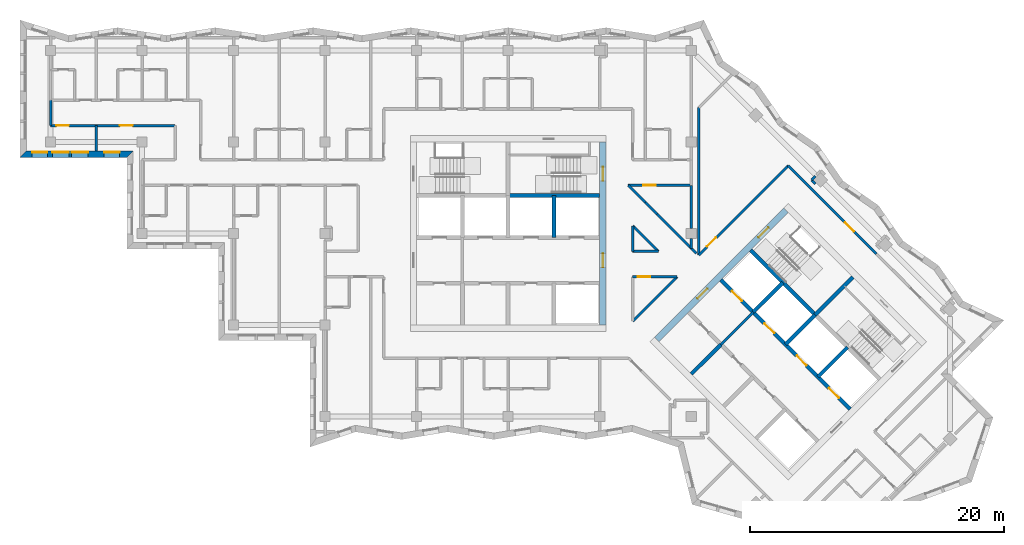
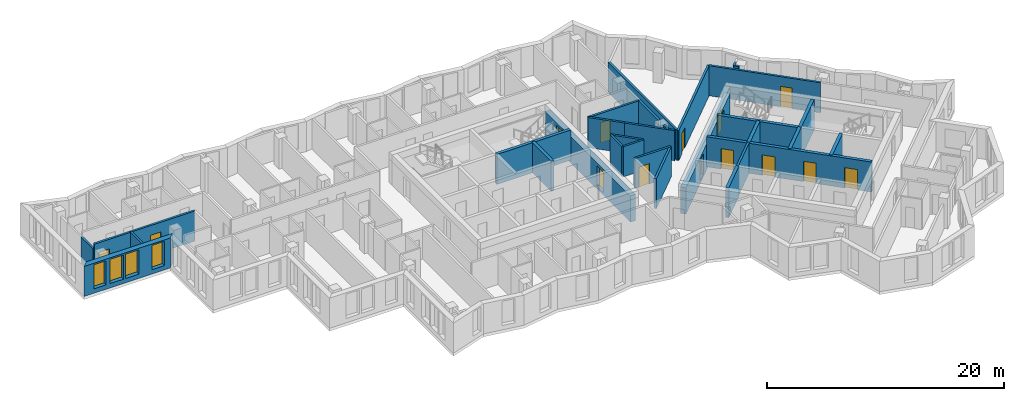
# One storey, part 5 of 13: 32 walls, 14 doors, 4 windows, 18 openings.
"""IFC4 building model written with IfcOpenShell, lengths in metres."""

from ifc_helpers import new_model, si_unit, direction, frame, frame_2d, origin, place, context, subcontext, project, spatial, polyline, rectangle, outline, extrude, material, layer, layer_set, type_object, element, fill, save


model = new_model("IFC4")

# Units and contexts
model_context = context("Model", 3, precision=1e-05, world=origin(), true_north=direction((0.0, 1.0)))
body_context = subcontext(model_context, "Body", "Model", "MODEL_VIEW")
ifc_project = project(units=[si_unit("LENGTHUNIT", "METRE"), si_unit("AREAUNIT", "SQUARE_METRE"), si_unit("VOLUMEUNIT", "CUBIC_METRE"), si_unit("PLANEANGLEUNIT", "RADIAN"), si_unit("MASSUNIT", "GRAM", prefix="KILO")], contexts=[model_context])

# Site, building, storey
site_placement = place(None, origin())
site = spatial("IfcSite", under=ifc_project, at=site_placement, CompositionType="ELEMENT")
building_placement = place(site_placement, origin())
building = spatial("IfcBuilding", under=site, at=building_placement, Name="Windrow Commons", CompositionType="ELEMENT")
storey_placement = place(building_placement, frame((0.0, 0.0, 223.6)))
storey = spatial("IfcBuildingStorey", under=building, at=storey_placement, Name="L61", CompositionType="ELEMENT", Elevation=223.6)

# Wall, openings, windows
ifc_material_1 = material(Name="Brick masonry, red clay brick", Category="masonry")
ifc_layer_1 = layer(ifc_material_1, 0.5)
ifc_layer_set_1 = layer_set([ifc_layer_1], Name="Brick facade wall 500")
wall_type_1 = type_object("IfcWallType", Name="Brick facade wall 500", PredefinedType="SOLIDWALL", material=ifc_layer_set_1)
wall_1_placement = place(storey_placement, frame((26.647, 63.85, 0.0), z_axis=(0.0, 0.0, 1.0), x_axis=(1.0, 0.0, 0.0)))
wall_1 = element("IfcWall", 1, at=wall_1_placement, inside=storey, type_object=wall_type_1, Name="Brick facade wall L61 32", PredefinedType="SOLIDWALL", context=body_context, shape_type="SweptSolid", body=[
    extrude(outline(polyline([(-0.25, -0.25), (8.153, -0.25), (8.653, 0.25), (0.25, 0.25), (-0.25, -0.25)])), origin(), (0.0, 0.0, 1.0), 3.1),
])
opening_1_placement = place(wall_1_placement, frame((2.303, 0.0, 0.45)))
opening_1 = element("IfcOpeningElement", 2, at=opening_1_placement, cuts=wall_1, Name="Opening W1Q", PredefinedType="OPENING", context=body_context, shape_type="SweptSolid", body=[
    extrude(rectangle(XDim=1.3, YDim=2.5, at=frame_2d((0.65, 1.25))), frame((0.0, 0.26, 0.0), z_axis=(0.0, -1.0, 0.0), x_axis=(1.0, 0.0, 0.0)), (0.0, 0.0, 1.0), 0.52),
])
opening_2_placement = place(wall_1_placement, frame((3.803, 0.0, 0.45)))
opening_2 = element("IfcOpeningElement", 3, at=opening_2_placement, cuts=wall_1, Name="Opening W1Q", PredefinedType="OPENING", context=body_context, shape_type="SweptSolid", body=[
    extrude(rectangle(XDim=1.3, YDim=2.5, at=frame_2d((0.65, 1.25))), frame((0.0, 0.26, 0.0), z_axis=(0.0, -1.0, 0.0), x_axis=(1.0, 0.0, 0.0)), (0.0, 0.0, 1.0), 0.52),
])
opening_3_placement = place(wall_1_placement, frame((0.7015, 0.0, 0.45)))
opening_3 = element("IfcOpeningElement", 4, at=opening_3_placement, cuts=wall_1, Name="Opening W7E", PredefinedType="OPENING", context=body_context, shape_type="SweptSolid", body=[
    extrude(rectangle(XDim=1.2, YDim=2.5, at=frame_2d((0.6, 1.25))), frame((0.0, 0.26, 0.0), z_axis=(0.0, -1.0, 0.0), x_axis=(1.0, 0.0, 0.0)), (0.0, 0.0, 1.0), 0.52),
])
opening_4_placement = place(wall_1_placement, frame((6.378, 0.0, 0.45)))
opening_4 = element("IfcOpeningElement", 5, at=opening_4_placement, cuts=wall_1, Name="Opening W7E", PredefinedType="OPENING", context=body_context, shape_type="SweptSolid", body=[
    extrude(rectangle(XDim=1.2, YDim=2.5, at=frame_2d((0.6, 1.25))), frame((0.0, 0.26, 0.0), z_axis=(0.0, -1.0, 0.0), x_axis=(1.0, 0.0, 0.0)), (0.0, 0.0, 1.0), 0.52),
])
ifc_material_2 = material(Name="Clear float glass in anodised aluminium frame", Category="aluminium")
window_type_1 = type_object("IfcWindowType", Name="Window W1Q pair 1300x2500", PartitioningType="SINGLE_PANEL", PredefinedType="WINDOW", material=ifc_material_2)
window_1_placement = place(opening_1_placement, origin())
window_1 = element("IfcWindow", 6, at=window_1_placement, inside=storey, type_object=window_type_1, Name="Window L61 32.1A", OverallHeight=2.5, OverallWidth=1.3, PartitioningType="SINGLE_PANEL", PredefinedType="WINDOW", context=body_context, shape_type="SweptSolid", body=[
    extrude(rectangle(XDim=1.3, YDim=2.5, at=frame_2d((0.65, 1.25))), frame((0.0, 0.18, 0.0), z_axis=(0.0, -1.0, 0.0), x_axis=(1.0, 0.0, 0.0)), (0.0, 0.0, 1.0), 0.06),
])
fill(opening_1, window_1)
window_2_placement = place(opening_2_placement, origin())
window_2 = element("IfcWindow", 7, at=window_2_placement, inside=storey, type_object=window_type_1, Name="Window L61 32.1B", OverallHeight=2.5, OverallWidth=1.3, PartitioningType="SINGLE_PANEL", PredefinedType="WINDOW", context=body_context, shape_type="SweptSolid", body=[
    extrude(rectangle(XDim=1.3, YDim=2.5, at=frame_2d((0.65, 1.25))), frame((0.0, 0.18, 0.0), z_axis=(0.0, -1.0, 0.0), x_axis=(1.0, 0.0, 0.0)), (0.0, 0.0, 1.0), 0.06),
])
fill(opening_2, window_2)
ifc_material_3 = material(Name="Clear float glass in anodised aluminium frame", Category="aluminium")
window_type_2 = type_object("IfcWindowType", Name="Window W7 notch 1200x2500", PartitioningType="SINGLE_PANEL", PredefinedType="WINDOW", material=ifc_material_3)
window_3_placement = place(opening_3_placement, origin())
window_3 = element("IfcWindow", 8, at=window_3_placement, inside=storey, type_object=window_type_2, Name="Window L61 32.2", OverallHeight=2.5, OverallWidth=1.2, PartitioningType="SINGLE_PANEL", PredefinedType="WINDOW", context=body_context, shape_type="SweptSolid", body=[
    extrude(rectangle(XDim=1.2, YDim=2.5, at=frame_2d((0.6, 1.25))), frame((0.0, 0.18, 0.0), z_axis=(0.0, -1.0, 0.0), x_axis=(1.0, 0.0, 0.0)), (0.0, 0.0, 1.0), 0.06),
])
fill(opening_3, window_3)
window_4_placement = place(opening_4_placement, origin())
window_4 = element("IfcWindow", 9, at=window_4_placement, inside=storey, type_object=window_type_2, Name="Window L61 32.3", OverallHeight=2.5, OverallWidth=1.2, PartitioningType="SINGLE_PANEL", PredefinedType="WINDOW", context=body_context, shape_type="SweptSolid", body=[
    extrude(rectangle(XDim=1.2, YDim=2.5, at=frame_2d((0.6, 1.25))), frame((0.0, 0.18, 0.0), z_axis=(0.0, -1.0, 0.0), x_axis=(1.0, 0.0, 0.0)), (0.0, 0.0, 1.0), 0.06),
])
fill(opening_4, window_4)

# Wall
ifc_material_4 = material(Name="Blockwork partition", Category="masonry")
ifc_layer_2 = layer(ifc_material_4, 0.2)
ifc_layer_set_2 = layer_set([ifc_layer_2], Name="Fire lobby partition 200")
wall_type_2 = type_object("IfcWallType", Name="Fire lobby partition 200", PredefinedType="PARTITIONING", material=ifc_layer_set_2)
wall_2_placement = place(storey_placement, frame((81.5335, 48.8776, 0.0), z_axis=(0.0, 0.0, 1.0), x_axis=(0.707092892, 0.7071206701, 0.0)))
element("IfcWall", 10, at=wall_2_placement, inside=storey, type_object=wall_type_2, Name="W-core-lobby-B-L61", PredefinedType="PARTITIONING", context=body_context, shape_type="SweptSolid", body=[
    extrude(rectangle(XDim=3.6, YDim=0.2, at=frame_2d((1.8, 0.0))), origin(), (0.0, 0.0, 1.0), 3.1),
])

# Wall, opening, door
ifc_material_5 = material(Name="Blockwork partition", Category="masonry")
ifc_layer_3 = layer(ifc_material_5, 0.2)
ifc_layer_set_3 = layer_set([ifc_layer_3], Name="IW-CORRIDOR-200")
wall_type_3 = type_object("IfcWallType", Name="IW-CORRIDOR-200", PredefinedType="PARTITIONING", material=ifc_layer_set_3)
wall_3_placement = place(storey_placement, frame((79.799, 55.913, 0.0), z_axis=(0.0, 0.0, 1.0), x_axis=(0.7071067812, 0.7071067812, 0.0)))
wall_3 = element("IfcWall", 11, at=wall_3_placement, inside=storey, type_object=wall_type_3, Name="W-L61-W009", PredefinedType="PARTITIONING", context=body_context, shape_type="SweptSolid", body=[
    extrude(rectangle(XDim=9.9504, YDim=0.2, at=frame_2d((4.9752, 0.0))), origin(), (0.0, 0.0, 1.0), 3.1),
])
opening_5_placement = place(wall_3_placement, frame((0.9268, 0.0, 0.0)))
opening_5 = element("IfcOpeningElement", 12, at=opening_5_placement, cuts=wall_3, Name="Opening D310F", PredefinedType="OPENING", context=body_context, shape_type="SweptSolid", body=[
    extrude(rectangle(XDim=1.0, YDim=2.1, at=frame_2d((0.5, 1.05))), frame((0.0, 0.11, 0.0), z_axis=(0.0, -1.0, 0.0), x_axis=(1.0, 0.0, 0.0)), (0.0, 0.0, 1.0), 0.22),
])
ifc_material_6 = material(Name="Timber door leaf", Category="wood")
door_type_1 = type_object("IfcDoorType", Name="DT-AMENITY-1000", OperationType="SINGLE_SWING_LEFT", PredefinedType="DOOR", material=ifc_material_6)
door_1_placement = place(opening_5_placement, origin())
door_1 = element("IfcDoor", 13, at=door_1_placement, inside=storey, type_object=door_type_1, Name="D-L61-D044", OperationType="SINGLE_SWING_RIGHT", OverallHeight=2.1, OverallWidth=1.0, PredefinedType="DOOR", context=body_context, shape_type="SweptSolid", body=[
    extrude(rectangle(XDim=1.0, YDim=2.1, at=frame_2d((0.5, 1.05))), frame((0.0, 0.025, 0.0), z_axis=(0.0, -1.0, 0.0), x_axis=(1.0, 0.0, 0.0)), (0.0, 0.0, 1.0), 0.05),
])
fill(opening_5, door_1)

# Wall, openings, doors
wall_4_placement = place(storey_placement, frame((28.802, 66.1, 0.0), z_axis=(0.0, 0.0, 1.0), x_axis=(1.0, 0.0, 0.0)))
wall_4 = element("IfcWall", 14, at=wall_4_placement, inside=storey, type_object=wall_type_3, Name="W-L61-W010", PredefinedType="PARTITIONING", context=body_context, shape_type="SweptSolid", body=[
    extrude(rectangle(XDim=9.798, YDim=0.2, at=frame_2d((4.899, 0.0))), origin(), (0.0, 0.0, 1.0), 3.1),
])
opening_6_placement = place(wall_4_placement, frame((0.4487, 0.0, 0.0)))
opening_6 = element("IfcOpeningElement", 15, at=opening_6_placement, cuts=wall_4, Name="Opening D310F", PredefinedType="OPENING", context=body_context, shape_type="SweptSolid", body=[
    extrude(rectangle(XDim=1.0, YDim=2.1, at=frame_2d((0.5, 1.05))), frame((0.0, 0.11, 0.0), z_axis=(0.0, -1.0, 0.0), x_axis=(1.0, 0.0, 0.0)), (0.0, 0.0, 1.0), 0.22),
])
opening_7_placement = place(wall_4_placement, frame((5.4593, 0.0, 0.0)))
opening_7 = element("IfcOpeningElement", 16, at=opening_7_placement, cuts=wall_4, Name="Opening D310F", PredefinedType="OPENING", context=body_context, shape_type="SweptSolid", body=[
    extrude(rectangle(XDim=1.0, YDim=2.1, at=frame_2d((0.5, 1.05))), frame((0.0, 0.11, 0.0), z_axis=(0.0, -1.0, 0.0), x_axis=(1.0, 0.0, 0.0)), (0.0, 0.0, 1.0), 0.22),
])
door_2_placement = place(opening_6_placement, origin())
door_2 = element("IfcDoor", 17, at=door_2_placement, inside=storey, type_object=door_type_1, Name="D-L61-D001", OperationType="SINGLE_SWING_LEFT", OverallHeight=2.1, OverallWidth=1.0, PredefinedType="DOOR", context=body_context, shape_type="SweptSolid", body=[
    extrude(rectangle(XDim=1.0, YDim=2.1, at=frame_2d((0.5, 1.05))), frame((0.0, 0.025, 0.0), z_axis=(0.0, -1.0, 0.0), x_axis=(1.0, 0.0, 0.0)), (0.0, 0.0, 1.0), 0.05),
])
fill(opening_6, door_2)
door_3_placement = place(opening_7_placement, origin())
door_3 = element("IfcDoor", 18, at=door_3_placement, inside=storey, type_object=door_type_1, Name="D-L61-D008", OperationType="SINGLE_SWING_RIGHT", OverallHeight=2.1, OverallWidth=1.0, PredefinedType="DOOR", context=body_context, shape_type="SweptSolid", body=[
    extrude(rectangle(XDim=1.0, YDim=2.1, at=frame_2d((0.5, 1.05))), frame((0.0, 0.025, 0.0), z_axis=(0.0, -1.0, 0.0), x_axis=(1.0, 0.0, 0.0)), (0.0, 0.0, 1.0), 0.05),
])
fill(opening_7, door_3)

# Wall, opening, door
wall_5_placement = place(storey_placement, frame((86.8347, 62.9447, 0.0), z_axis=(0.0, 0.0, 1.0), x_axis=(0.7071067812, -0.7071067812, 0.0)))
wall_5 = element("IfcWall", 19, at=wall_5_placement, inside=storey, type_object=wall_type_3, Name="W-L61-W011", PredefinedType="PARTITIONING", context=body_context, shape_type="SweptSolid", body=[
    extrude(rectangle(XDim=9.7977, YDim=0.2, at=frame_2d((4.8989, 0.0))), origin(), (0.0, 0.0, 1.0), 3.1),
])
opening_8_placement = place(wall_5_placement, frame((6.3084, 0.0, 0.0)))
opening_8 = element("IfcOpeningElement", 20, at=opening_8_placement, cuts=wall_5, Name="Opening D310F", PredefinedType="OPENING", context=body_context, shape_type="SweptSolid", body=[
    extrude(rectangle(XDim=1.0, YDim=2.1, at=frame_2d((0.5, 1.05))), frame((0.0, 0.11, 0.0), z_axis=(0.0, -1.0, 0.0), x_axis=(1.0, 0.0, 0.0)), (0.0, 0.0, 1.0), 0.22),
])
door_4_placement = place(opening_8_placement, origin())
door_4 = element("IfcDoor", 21, at=door_4_placement, inside=storey, type_object=door_type_1, Name="D-L61-D046", OperationType="SINGLE_SWING_LEFT", OverallHeight=2.1, OverallWidth=1.0, PredefinedType="DOOR", context=body_context, shape_type="SweptSolid", body=[
    extrude(rectangle(XDim=1.0, YDim=2.1, at=frame_2d((0.5, 1.05))), frame((0.0, 0.025, 0.0), z_axis=(0.0, -1.0, 0.0), x_axis=(1.0, 0.0, 0.0)), (0.0, 0.0, 1.0), 0.05),
])
fill(opening_8, door_4)

wall_6_placement = place(storey_placement, frame((74.246, 61.4, 0.0), z_axis=(0.0, 0.0, 1.0), x_axis=(1.0, 0.0, 0.0)))
wall_6 = element("IfcWall", 22, at=wall_6_placement, inside=storey, type_object=wall_type_3, Name="W-L61-W031", PredefinedType="PARTITIONING", context=body_context, shape_type="SweptSolid", body=[
    extrude(rectangle(XDim=4.954, YDim=0.2, at=frame_2d((2.477, 0.0))), origin(), (0.0, 0.0, 1.0), 3.1),
])
opening_9_placement = place(wall_6_placement, frame((1.1698, 0.0, 0.0)))
opening_9 = element("IfcOpeningElement", 23, at=opening_9_placement, cuts=wall_6, Name="Opening D410F", PredefinedType="OPENING", context=body_context, shape_type="SweptSolid", body=[
    extrude(rectangle(XDim=1.0, YDim=2.1, at=frame_2d((0.5, 1.05))), frame((0.0, 0.11, 0.0), z_axis=(0.0, -1.0, 0.0), x_axis=(1.0, 0.0, 0.0)), (0.0, 0.0, 1.0), 0.22),
])
ifc_material_7 = material(Name="Timber door leaf", Category="wood")
door_type_2 = type_object("IfcDoorType", Name="DT-SERVICE-1000", OperationType="SINGLE_SWING_LEFT", PredefinedType="DOOR", material=ifc_material_7)
door_5_placement = place(opening_9_placement, origin())
door_5 = element("IfcDoor", 24, at=door_5_placement, inside=storey, type_object=door_type_2, Name="D-L61-D043", OperationType="SINGLE_SWING_RIGHT", OverallHeight=2.1, OverallWidth=1.0, PredefinedType="DOOR", context=body_context, shape_type="SweptSolid", body=[
    extrude(rectangle(XDim=1.0, YDim=2.1, at=frame_2d((0.5, 1.05))), frame((0.0, 0.025, 0.0), z_axis=(0.0, -1.0, 0.0), x_axis=(1.0, 0.0, 0.0)), (0.0, 0.0, 1.0), 0.05),
])
fill(opening_9, door_5)

# Walls
wall_7_placement = place(storey_placement, frame((74.601, 50.715, 0.0), z_axis=(0.0, 0.0, 1.0), x_axis=(0.7071067812, 0.7071067812, 0.0)))
element("IfcWall", 25, at=wall_7_placement, inside=storey, type_object=wall_type_3, Name="W-L61-W032", PredefinedType="PARTITIONING", context=body_context, shape_type="SweptSolid", body=[
    extrude(rectangle(XDim=4.9271, YDim=0.2, at=frame_2d((2.4636, 0.0))), origin(), (0.0, 0.0, 1.0), 3.1),
])
wall_8_placement = place(storey_placement, frame((76.5129, 59.1309, 0.0), z_axis=(0.0, 0.0, 1.0), x_axis=(0.7073587997, -0.7068546728, 0.0)))
element("IfcWall", 26, at=wall_8_placement, inside=storey, type_object=wall_type_3, Name="W-L61-W042", PredefinedType="PARTITIONING", context=body_context, shape_type="SweptSolid", body=[
    extrude(rectangle(XDim=4.364, YDim=0.2, at=frame_2d((2.182, 0.0))), origin(), (0.0, 0.0, 1.0), 3.1),
])

# Wall, opening, door
wall_9_placement = place(storey_placement, frame((74.602, 54.2, 0.0), z_axis=(0.0, 0.0, 1.0), x_axis=(1.0, 0.0, 0.0)))
wall_9 = element("IfcWall", 27, at=wall_9_placement, inside=storey, type_object=wall_type_3, Name="W-L61-W059", PredefinedType="PARTITIONING", context=body_context, shape_type="SweptSolid", body=[
    extrude(rectangle(XDim=3.484, YDim=0.2, at=frame_2d((1.742, 0.0))), origin(), (0.0, 0.0, 1.0), 3.1),
])
opening_10_placement = place(wall_9_placement, frame((0.3815, 0.0, 0.0)))
opening_10 = element("IfcOpeningElement", 28, at=opening_10_placement, cuts=wall_9, Name="Opening D310F", PredefinedType="OPENING", context=body_context, shape_type="SweptSolid", body=[
    extrude(rectangle(XDim=1.0, YDim=2.1, at=frame_2d((0.5, 1.05))), frame((0.0, 0.11, 0.0), z_axis=(0.0, -1.0, 0.0), x_axis=(1.0, 0.0, 0.0)), (0.0, 0.0, 1.0), 0.22),
])
door_6_placement = place(opening_10_placement, origin())
door_6 = element("IfcDoor", 29, at=door_6_placement, inside=storey, type_object=door_type_1, Name="D-L61-D000", OperationType="SINGLE_SWING_RIGHT", OverallHeight=2.1, OverallWidth=1.0, PredefinedType="DOOR", context=body_context, shape_type="SweptSolid", body=[
    extrude(rectangle(XDim=1.0, YDim=2.1, at=frame_2d((0.5, 1.05))), frame((0.0, 0.025, 0.0), z_axis=(0.0, -1.0, 0.0), x_axis=(1.0, 0.0, 0.0)), (0.0, 0.0, 1.0), 0.05),
])
fill(opening_10, door_6)

# Walls
wall_10_placement = place(storey_placement, frame((74.6055, 58.2175, 0.0), z_axis=(0.0, 0.0, 1.0), x_axis=(0.7071067812, -0.7071067812, 0.0)))
element("IfcWall", 30, at=wall_10_placement, inside=storey, type_object=wall_type_3, Name="W-L61-W062", PredefinedType="PARTITIONING", context=body_context, shape_type="SweptSolid", body=[
    extrude(rectangle(XDim=2.8454, YDim=0.2, at=frame_2d((1.4227, 0.0))), origin(), (0.0, 0.0, 1.0), 3.1),
])
for number, where, z_axis, x_axis, name in (
    (31, (74.6, 56.202, 0.0), (0.0, 0.0, 1.0), (0.0, 1.0, 0.0), "W-L61-W105"),
    (32, (74.602, 56.2, 0.0), (0.0, 0.0, 1.0), (1.0, 0.0, 0.0), "W-L61-W106"),
):
    element("IfcWall", number, at=place(storey_placement, frame(where, z_axis=z_axis, x_axis=x_axis)), inside=storey, type_object=wall_type_3, Name=name, PredefinedType="PARTITIONING", context=body_context, shape_type="SweptSolid", body=[
        extrude(rectangle(XDim=2.01, YDim=0.2, at=frame_2d((1.005, 0.0))), origin(), (0.0, 0.0, 1.0), 3.1),
    ])
wall_11_placement = place(storey_placement, frame((28.8, 66.102, 0.0), z_axis=(0.0, 0.0, 1.0), x_axis=(0.0, 1.0, 0.0)))
element("IfcWall", 33, at=wall_11_placement, inside=storey, type_object=wall_type_3, Name="W-L61-W111", PredefinedType="PARTITIONING", context=body_context, shape_type="SweptSolid", body=[
    extrude(rectangle(XDim=1.998, YDim=0.2, at=frame_2d((0.999, 0.0))), origin(), (0.0, 0.0, 1.0), 2.6),
])
wall_12_placement = place(storey_placement, frame((74.2426, 61.3946, 0.0), z_axis=(0.0, 0.0, 1.0), x_axis=(0.7071067812, -0.7071067812, 0.0)))
element("IfcWall", 34, at=wall_12_placement, inside=storey, type_object=wall_type_3, Name="W-L61-W113", PredefinedType="PARTITIONING", context=body_context, shape_type="SweptSolid", body=[
    extrude(rectangle(XDim=1.9148, YDim=0.2, at=frame_2d((0.9574, 0.0))), origin(), (0.0, 0.0, 1.0), 3.1),
])
wall_13_placement = place(storey_placement, frame((75.6023, 60.0463, 0.0), z_axis=(0.0, 0.0, 1.0), x_axis=(0.7063318703, -0.7078808437, 0.0)))
element("IfcWall", 35, at=wall_13_placement, inside=storey, type_object=wall_type_3, Name="W-L61-W133", PredefinedType="PARTITIONING", context=body_context, shape_type="SweptSolid", body=[
    extrude(rectangle(XDim=1.2912, YDim=0.2, at=frame_2d((0.6456, 0.0))), origin(), (0.0, 0.0, 1.0), 3.1),
])
ifc_material_8 = material(Name="Blockwork partition", Category="masonry")
ifc_layer_4 = layer(ifc_material_8, 0.2)
ifc_layer_set_4 = layer_set([ifc_layer_4], Name="IW-PARTY-200")
wall_type_4 = type_object("IfcWallType", Name="IW-PARTY-200", PredefinedType="PARTITIONING", material=ifc_layer_set_4)
wall_14_placement = place(storey_placement, frame((79.8, 55.912, 0.0), z_axis=(0.0, 0.0, 1.0), x_axis=(0.0, 1.0, 0.0)))
element("IfcWall", 36, at=wall_14_placement, inside=storey, type_object=wall_type_4, Name="W-L61-W007", PredefinedType="PARTITIONING", context=body_context, shape_type="SweptSolid", body=[
    extrude(rectangle(XDim=11.596, YDim=0.2, at=frame_2d((5.798, 0.0))), origin(), (0.0, 0.0, 1.0), 3.1),
])
wall_15_placement = place(storey_placement, frame((79.2, 58.0, 0.0), z_axis=(0.0, 0.0, 1.0), x_axis=(0.0, 1.0, 0.0)))
element("IfcWall", 37, at=wall_15_placement, inside=storey, type_object=wall_type_4, Name="W-L61-W060", PredefinedType="PARTITIONING", context=body_context, shape_type="SweptSolid", body=[
    extrude(rectangle(XDim=3.4, YDim=0.2, at=frame_2d((1.7, 0.0))), origin(), (0.0, 0.0, 1.0), 3.1),
])
wall_16_placement = place(storey_placement, frame((32.4, 64.1, 0.0), z_axis=(0.0, 0.0, 1.0), x_axis=(0.0, 1.0, 0.0)))
element("IfcWall", 38, at=wall_16_placement, inside=storey, type_object=wall_type_4, Name="W-L61-W112", PredefinedType="PARTITIONING", context=body_context, shape_type="SweptSolid", body=[
    extrude(rectangle(XDim=2.0, YDim=0.2, at=frame_2d((1.0, 0.0))), origin(), (0.0, 0.0, 1.0), 3.1),
])
wall_17_placement = place(storey_placement, frame((79.2, 56.444, 0.0), z_axis=(0.0, 0.0, 1.0), x_axis=(0.0, 1.0, 0.0)))
element("IfcWall", 39, at=wall_17_placement, inside=storey, type_object=wall_type_4, Name="W-L61-W148", PredefinedType="PARTITIONING", context=body_context, shape_type="SweptSolid", body=[
    extrude(rectangle(XDim=0.756, YDim=0.2, at=frame_2d((0.378, 0.0))), origin(), (0.0, 0.0, 1.0), 3.1),
])
for number, where, z_axis, x_axis, name in (
    (40, (88.671, 61.815, 0.0), (0.0, 0.0, 1.0), (0.7071067812, 0.7071067812, 0.0), "W-L61-W175"),
    (41, (88.6722, 61.8142, 0.0), (0.0, 0.0, 1.0), (0.7071067812, -0.7071067812, 0.0), "W-L61-W176"),
):
    element("IfcWall", number, at=place(storey_placement, frame(where, z_axis=z_axis, x_axis=x_axis)), inside=storey, type_object=wall_type_4, Name=name, PredefinedType="PARTITIONING", context=body_context, shape_type="SweptSolid", body=[
        extrude(rectangle(XDim=0.4384, YDim=0.2, at=frame_2d((0.2192, 0.0))), origin(), (0.0, 0.0, 1.0), 3.1),
    ])

# Wall, openings, doors
ifc_material_9 = material(Name="Concrete C40/50", Category="concrete")
ifc_layer_5 = layer(ifc_material_9, 0.5)
ifc_layer_set_5 = layer_set([ifc_layer_5], Name="RC CORE WALL 500 C40/50")
wall_type_5 = type_object("IfcWallType", Name="RC CORE WALL 500 C40/50", PredefinedType="SHEAR", material=ifc_layer_set_5)
wall_18_placement = place(storey_placement, frame((72.25, 50.4, -0.3), z_axis=(0.0, 0.0, 1.0), x_axis=(0.0, 1.0, 0.0)))
wall_18 = element("IfcWall", 42, at=wall_18_placement, inside=storey, type_object=wall_type_5, Name="Core A wall outer-E", PredefinedType="SHEAR", context=body_context, shape_type="SweptSolid", body=[
    extrude(rectangle(XDim=14.4, YDim=0.5, at=frame_2d((7.2, 0.0))), origin(), (0.0, 0.0, 1.0), 2.7),
])
opening_11_placement = place(wall_18_placement, frame((4.55, 0.0, 0.3)))
opening_11 = element("IfcOpeningElement", 43, at=opening_11_placement, cuts=wall_18, Name="Opening D6", PredefinedType="OPENING", context=body_context, shape_type="SweptSolid", body=[
    extrude(rectangle(XDim=1.1, YDim=2.1, at=frame_2d((0.55, 1.05))), frame((0.0, 0.26, 0.0), z_axis=(0.0, -1.0, 0.0), x_axis=(1.0, 0.0, 0.0)), (0.0, 0.0, 1.0), 0.52),
])
opening_12_placement = place(wall_18_placement, frame((11.35, 0.0, 0.3)))
opening_12 = element("IfcOpeningElement", 44, at=opening_12_placement, cuts=wall_18, Name="Opening D7", PredefinedType="OPENING", context=body_context, shape_type="SweptSolid", body=[
    extrude(rectangle(XDim=1.1, YDim=2.1, at=frame_2d((0.55, 1.05))), frame((0.0, 0.26, 0.0), z_axis=(0.0, -1.0, 0.0), x_axis=(1.0, 0.0, 0.0)), (0.0, 0.0, 1.0), 0.52),
])
ifc_material_10 = material(Name="Steel fire door leaf", Category="steel")
door_type_3 = type_object("IfcDoorType", Name="Core lobby door 1100", OperationType="SINGLE_SWING_LEFT", PredefinedType="DOOR", material=ifc_material_10)
door_7_placement = place(opening_11_placement, origin())
door_7 = element("IfcDoor", 45, at=door_7_placement, inside=storey, type_object=door_type_3, Name="Lift lobby door", OperationType="DOUBLE_DOOR_SINGLE_SWING", OverallHeight=2.1, OverallWidth=1.1, PredefinedType="DOOR", context=body_context, shape_type="SweptSolid", body=[
    extrude(rectangle(XDim=1.1, YDim=2.1, at=frame_2d((0.55, 1.05))), frame((0.0, 0.025, 0.0), z_axis=(0.0, -1.0, 0.0), x_axis=(1.0, 0.0, 0.0)), (0.0, 0.0, 1.0), 0.05),
])
fill(opening_11, door_7)
ifc_material_11 = material(Name="Steel fire door leaf", Category="steel")
door_type_4 = type_object("IfcDoorType", Name="Stair door 1100", OperationType="SINGLE_SWING_LEFT", PredefinedType="DOOR", material=ifc_material_11)
door_8_placement = place(opening_12_placement, origin())
door_8 = element("IfcDoor", 46, at=door_8_placement, inside=storey, type_object=door_type_4, Name="Stair door", OperationType="SINGLE_SWING_RIGHT", OverallHeight=2.1, OverallWidth=1.1, PredefinedType="DOOR", context=body_context, shape_type="SweptSolid", body=[
    extrude(rectangle(XDim=1.1, YDim=2.1, at=frame_2d((0.55, 1.05))), frame((0.0, 0.025, 0.0), z_axis=(0.0, -1.0, 0.0), x_axis=(1.0, 0.0, 0.0)), (0.0, 0.0, 1.0), 0.05),
])
fill(opening_12, door_8)

wall_19_placement = place(storey_placement, frame((76.4776, 49.2665, -0.3), z_axis=(0.0, 0.0, 1.0), x_axis=(0.7071067812, 0.7071067812, 0.0)))
wall_19 = element("IfcWall", 47, at=wall_19_placement, inside=storey, type_object=wall_type_5, Name="Core B wall outer-W", PredefinedType="SHEAR", context=body_context, shape_type="SweptSolid", body=[
    extrude(rectangle(XDim=14.4001, YDim=0.5, at=frame_2d((7.2001, 0.0))), origin(), (0.0, 0.0, 1.0), 2.7),
])
opening_13_placement = place(wall_19_placement, frame((4.55, 0.0, 0.3)))
opening_13 = element("IfcOpeningElement", 48, at=opening_13_placement, cuts=wall_19, Name="Opening D6", PredefinedType="OPENING", context=body_context, shape_type="SweptSolid", body=[
    extrude(rectangle(XDim=1.1, YDim=2.1, at=frame_2d((0.55, 1.05))), frame((0.0, 0.26, 0.0), z_axis=(0.0, -1.0, 0.0), x_axis=(1.0, 0.0, 0.0)), (0.0, 0.0, 1.0), 0.52),
])
opening_14_placement = place(wall_19_placement, frame((11.35, 0.0, 0.3)))
opening_14 = element("IfcOpeningElement", 49, at=opening_14_placement, cuts=wall_19, Name="Opening D7", PredefinedType="OPENING", context=body_context, shape_type="SweptSolid", body=[
    extrude(rectangle(XDim=1.1, YDim=2.1, at=frame_2d((0.55, 1.05))), frame((0.0, 0.26, 0.0), z_axis=(0.0, -1.0, 0.0), x_axis=(1.0, 0.0, 0.0)), (0.0, 0.0, 1.0), 0.52),
])
door_9_placement = place(opening_13_placement, origin())
door_9 = element("IfcDoor", 50, at=door_9_placement, inside=storey, type_object=door_type_3, Name="Lift lobby door", OperationType="DOUBLE_DOOR_SINGLE_SWING", OverallHeight=2.1, OverallWidth=1.1, PredefinedType="DOOR", context=body_context, shape_type="SweptSolid", body=[
    extrude(rectangle(XDim=1.1, YDim=2.1, at=frame_2d((0.55, 1.05))), frame((0.0, 0.025, 0.0), z_axis=(0.0, -1.0, 0.0), x_axis=(1.0, 0.0, 0.0)), (0.0, 0.0, 1.0), 0.05),
])
fill(opening_13, door_9)
door_10_placement = place(opening_14_placement, origin())
door_10 = element("IfcDoor", 51, at=door_10_placement, inside=storey, type_object=door_type_4, Name="Stair door", OperationType="SINGLE_SWING_LEFT", OverallHeight=2.1, OverallWidth=1.1, PredefinedType="DOOR", context=body_context, shape_type="SweptSolid", body=[
    extrude(rectangle(XDim=1.1, YDim=2.1, at=frame_2d((0.55, 1.05))), frame((0.0, 0.025, 0.0), z_axis=(0.0, -1.0, 0.0), x_axis=(1.0, 0.0, 0.0)), (0.0, 0.0, 1.0), 0.05),
])
fill(opening_14, door_10)

# Walls
ifc_material_12 = material(Name="Concrete C40/50", Category="concrete")
ifc_layer_6 = layer(ifc_material_12, 0.3)
ifc_layer_set_6 = layer_set([ifc_layer_6], Name="RC SHAFT WALL 300 C40/50")
wall_type_6 = type_object("IfcWallType", Name="RC SHAFT WALL 300 C40/50", PredefinedType="SOLIDWALL", material=ifc_layer_set_6)
wall_20_placement = place(storey_placement, frame((68.4, 57.3, 0.0), z_axis=(0.0, 0.0, 1.0), x_axis=(0.0, 1.0, 0.0)))
element("IfcWall", 52, at=wall_20_placement, inside=storey, type_object=wall_type_6, Name="Core A wall shaft-N3", PredefinedType="SOLIDWALL", context=body_context, shape_type="SweptSolid", body=[
    extrude(rectangle(XDim=3.3, YDim=0.3, at=frame_2d((1.65, 0.0))), origin(), (0.0, 0.0, 1.0), 3.1),
])
wall_21_placement = place(storey_placement, frame((64.8, 60.6, 0.0), z_axis=(0.0, 0.0, 1.0), x_axis=(1.0, 0.0, 0.0)))
element("IfcWall", 53, at=wall_21_placement, inside=storey, type_object=wall_type_6, Name="Core A wall stair-S2", PredefinedType="SOLIDWALL", context=body_context, shape_type="SweptSolid", body=[
    extrude(rectangle(XDim=7.2, YDim=0.3, at=frame_2d((3.6, 0.0))), origin(), (0.0, 0.0, 1.0), 3.1),
])
for number, where, z_axis, x_axis, name in (
    (54, (79.2, 46.5442, 0.0), (0.0, 0.0, 1.0), (0.7071219326, 0.7070916295, 0.0), "Core B wall shaft-S1"),
    (55, (84.079, 51.4232, 0.0), (0.0, 0.0, 1.0), (0.7071219326, 0.7070916295, 0.0), "Core B wall shaft-N1"),
):
    element("IfcWall", number, at=place(storey_placement, frame(where, z_axis=z_axis, x_axis=x_axis)), inside=storey, type_object=wall_type_6, Name=name, PredefinedType="SOLIDWALL", context=body_context, shape_type="SweptSolid", body=[
        extrude(rectangle(XDim=3.3, YDim=0.3, at=frame_2d((1.65, 0.0))), origin(), (0.0, 0.0, 1.0), 3.1),
    ])
for number, where, z_axis, x_axis, name in (
    (56, (86.6246, 48.8776, 0.0), (0.0, 0.0, 1.0), (0.7071067812, 0.7071067812, 0.0), "Core B wall shaft-N2"),
    (57, (89.1702, 46.332, 0.0), (0.0, 0.0, 1.0), (0.7071067812, 0.7071067812, 0.0), "Core B wall shaft-N3"),
):
    element("IfcWall", number, at=place(storey_placement, frame(where, z_axis=z_axis, x_axis=x_axis)), inside=storey, type_object=wall_type_6, Name=name, PredefinedType="SOLIDWALL", context=body_context, shape_type="SweptSolid", body=[
        extrude(rectangle(XDim=3.3001, YDim=0.3, at=frame_2d((1.6501, 0.0))), origin(), (0.0, 0.0, 1.0), 3.1),
    ])

# Wall, openings, doors
wall_22_placement = place(storey_placement, frame((81.5335, 53.9688, 0.0), z_axis=(0.0, 0.0, 1.0), x_axis=(0.707103309, -0.7071102534, 0.0)))
wall_22 = element("IfcWall", 58, at=wall_22_placement, inside=storey, type_object=wall_type_6, Name="Core B wall lobby-N", PredefinedType="SOLIDWALL", context=body_context, shape_type="SweptSolid", body=[
    extrude(rectangle(XDim=14.4, YDim=0.3, at=frame_2d((7.2, 0.0))), origin(), (0.0, 0.0, 1.0), 3.1),
])
opening_15_placement = place(wall_22_placement, frame((1.25, 0.0, 0.0)))
opening_15 = element("IfcOpeningElement", 59, at=opening_15_placement, cuts=wall_22, Name="Opening LD", PredefinedType="OPENING", context=body_context, shape_type="SweptSolid", body=[
    extrude(rectangle(XDim=1.1, YDim=2.1, at=frame_2d((0.55, 1.05))), frame((0.0, 0.16, 0.0), z_axis=(0.0, -1.0, 0.0), x_axis=(1.0, 0.0, 0.0)), (0.0, 0.0, 1.0), 0.32),
])
opening_16_placement = place(wall_22_placement, frame((4.85, 0.0, 0.0)))
opening_16 = element("IfcOpeningElement", 60, at=opening_16_placement, cuts=wall_22, Name="Opening LD", PredefinedType="OPENING", context=body_context, shape_type="SweptSolid", body=[
    extrude(rectangle(XDim=1.1, YDim=2.1, at=frame_2d((0.55, 1.05))), frame((0.0, 0.16, 0.0), z_axis=(0.0, -1.0, 0.0), x_axis=(1.0, 0.0, 0.0)), (0.0, 0.0, 1.0), 0.32),
])
opening_17_placement = place(wall_22_placement, frame((8.45, 0.0, 0.0)))
opening_17 = element("IfcOpeningElement", 61, at=opening_17_placement, cuts=wall_22, Name="Opening LD", PredefinedType="OPENING", context=body_context, shape_type="SweptSolid", body=[
    extrude(rectangle(XDim=1.1, YDim=2.1, at=frame_2d((0.55, 1.05))), frame((0.0, 0.16, 0.0), z_axis=(0.0, -1.0, 0.0), x_axis=(1.0, 0.0, 0.0)), (0.0, 0.0, 1.0), 0.32),
])
opening_18_placement = place(wall_22_placement, frame((12.05, 0.0, 0.0)))
opening_18 = element("IfcOpeningElement", 62, at=opening_18_placement, cuts=wall_22, Name="Opening LD", PredefinedType="OPENING", context=body_context, shape_type="SweptSolid", body=[
    extrude(rectangle(XDim=1.1, YDim=2.1, at=frame_2d((0.55, 1.05))), frame((0.0, 0.16, 0.0), z_axis=(0.0, -1.0, 0.0), x_axis=(1.0, 0.0, 0.0)), (0.0, 0.0, 1.0), 0.32),
])
ifc_material_13 = material(Name="Stainless steel door leaf", Category="steel")
door_type_5 = type_object("IfcDoorType", Name="Lift landing door 1100", OperationType="SLIDING_TO_LEFT", PredefinedType="DOOR", material=ifc_material_13)
door_11_placement = place(opening_15_placement, origin())
door_11 = element("IfcDoor", 63, at=door_11_placement, inside=storey, type_object=door_type_5, Name="Lift landing door", OperationType="SLIDING_TO_LEFT", OverallHeight=2.1, OverallWidth=1.1, PredefinedType="DOOR", context=body_context, shape_type="SweptSolid", body=[
    extrude(rectangle(XDim=1.1, YDim=2.1, at=frame_2d((0.55, 1.05))), frame((0.0, 0.025, 0.0), z_axis=(0.0, -1.0, 0.0), x_axis=(1.0, 0.0, 0.0)), (0.0, 0.0, 1.0), 0.05),
])
fill(opening_15, door_11)
door_12_placement = place(opening_16_placement, origin())
door_12 = element("IfcDoor", 64, at=door_12_placement, inside=storey, type_object=door_type_5, Name="Lift landing door", OperationType="SLIDING_TO_RIGHT", OverallHeight=2.1, OverallWidth=1.1, PredefinedType="DOOR", context=body_context, shape_type="SweptSolid", body=[
    extrude(rectangle(XDim=1.1, YDim=2.1, at=frame_2d((0.55, 1.05))), frame((0.0, 0.025, 0.0), z_axis=(0.0, -1.0, 0.0), x_axis=(1.0, 0.0, 0.0)), (0.0, 0.0, 1.0), 0.05),
])
fill(opening_16, door_12)
door_13_placement = place(opening_17_placement, origin())
door_13 = element("IfcDoor", 65, at=door_13_placement, inside=storey, type_object=door_type_5, Name="Lift landing door", OperationType="SLIDING_TO_LEFT", OverallHeight=2.1, OverallWidth=1.1, PredefinedType="DOOR", context=body_context, shape_type="SweptSolid", body=[
    extrude(rectangle(XDim=1.1, YDim=2.1, at=frame_2d((0.55, 1.05))), frame((0.0, 0.025, 0.0), z_axis=(0.0, -1.0, 0.0), x_axis=(1.0, 0.0, 0.0)), (0.0, 0.0, 1.0), 0.05),
])
fill(opening_17, door_13)
door_14_placement = place(opening_18_placement, origin())
door_14 = element("IfcDoor", 66, at=door_14_placement, inside=storey, type_object=door_type_5, Name="Lift landing door", OperationType="SLIDING_TO_RIGHT", OverallHeight=2.1, OverallWidth=1.1, PredefinedType="DOOR", context=body_context, shape_type="SweptSolid", body=[
    extrude(rectangle(XDim=1.1, YDim=2.1, at=frame_2d((0.55, 1.05))), frame((0.0, 0.025, 0.0), z_axis=(0.0, -1.0, 0.0), x_axis=(1.0, 0.0, 0.0)), (0.0, 0.0, 1.0), 0.05),
])
fill(opening_18, door_14)

# Walls
wall_23_placement = place(storey_placement, frame((83.8669, 56.3022, 0.0), z_axis=(0.0, 0.0, 1.0), x_axis=(0.7071137256, -0.7070998367, 0.0)))
element("IfcWall", 67, at=wall_23_placement, inside=storey, type_object=wall_type_6, Name="Core B wall stair-S", PredefinedType="SOLIDWALL", context=body_context, shape_type="SweptSolid", body=[
    extrude(rectangle(XDim=7.2, YDim=0.3, at=frame_2d((3.6, 0.0))), origin(), (0.0, 0.0, 1.0), 3.1),
])
wall_24_placement = place(storey_placement, frame((88.9581, 51.2111, 0.0), z_axis=(0.0, 0.0, 1.0), x_axis=(0.7071067812, 0.7071067812, 0.0)))
element("IfcWall", 68, at=wall_24_placement, inside=storey, type_object=wall_type_6, Name="Core B wall stair-mid", PredefinedType="SOLIDWALL", context=body_context, shape_type="SweptSolid", body=[
    extrude(rectangle(XDim=4.1999, YDim=0.3, at=frame_2d((2.1, 0.0))), origin(), (0.0, 0.0, 1.0), 3.1),
])

save(model, "model.ifc")
